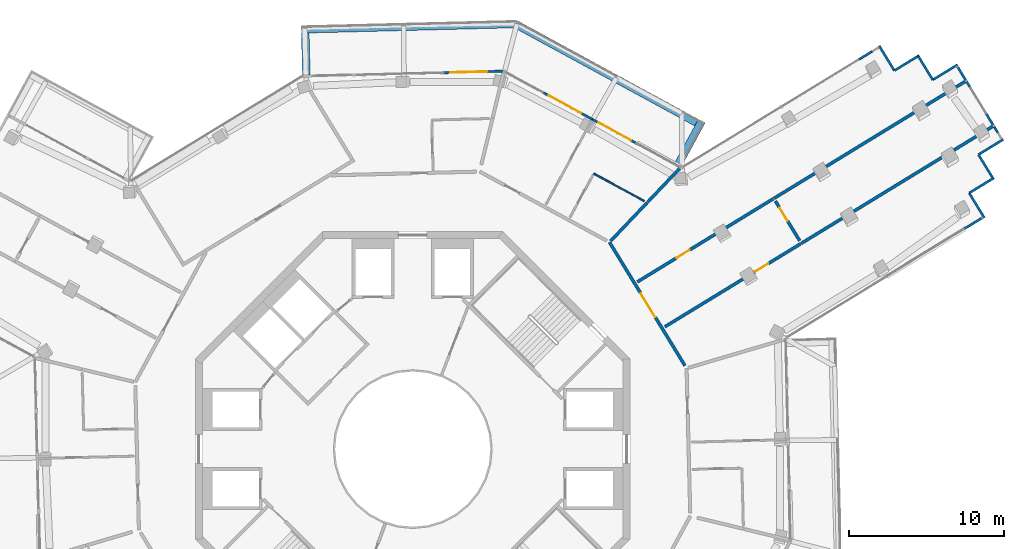
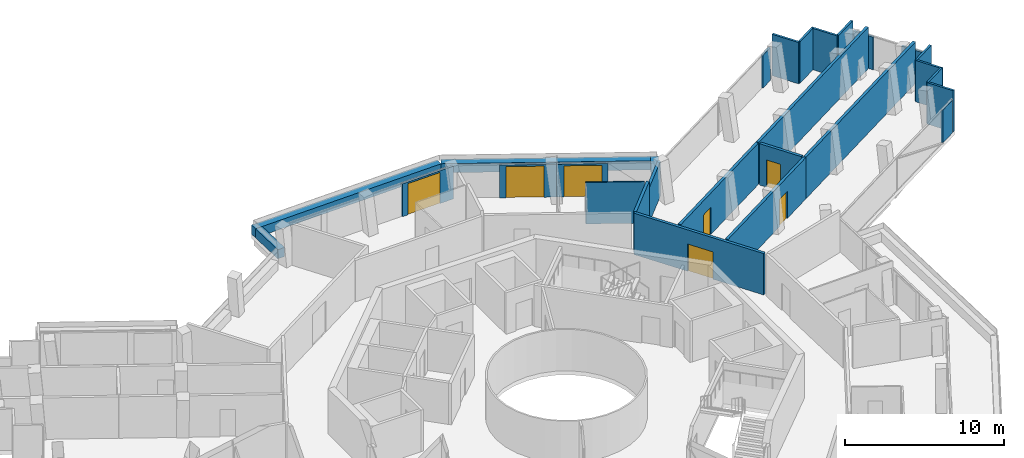
# One storey, part 23 of 26: 30 walls, 7 doors, 7 openings.
"""IFC4 building model written with IfcOpenShell, lengths in metres."""

import ifcopenshell
import ifcopenshell.guid

model = None  # the IFC model being written
_history = None  # IfcOwnerHistory: only IFC2X3 demands one
_inside = {}  # id of a spatial element -> (the spatial element, [elements in it])
_under = {}  # id of a project, library or spatial element -> (it, [spatial elements below it])
_declared = {}  # id of a project -> (the project, [libraries it declares])
_typed = {}  # id of a type object -> (the type object, [elements of that type])
_made_of = {}  # id of a material, layer set ... -> (it, [elements and type objects made of it])


def new_model(schema):
    """Start an empty IFC model of exactly this schema.

    Asked for "IFC4X3", IfcOpenShell would pick the latest addendum, in which some entities
    have other attributes; the version numbers below select the first issue.
    IFC2X3 requires an IfcOwnerHistory on every rooted entity: one is made here for all.
    """
    global model, _history
    if schema == "IFC4X3":
        model = ifcopenshell.file(schema_version=(4, 3, 0, 0))
    else:
        model = ifcopenshell.file(schema=schema)
    _inside.clear()
    _under.clear()
    _declared.clear()
    _typed.clear()
    _made_of.clear()
    _history = None
    if model.schema == "IFC2X3":
        org = make("IfcOrganization", Name="unknown")
        user = make(
            "IfcPersonAndOrganization",
            ThePerson=make("IfcPerson", FamilyName="unknown"),
            TheOrganization=org,
        )
        app = make(
            "IfcApplication",
            ApplicationDeveloper=org,
            Version="unknown",
            ApplicationFullName="unknown",
            ApplicationIdentifier="unknown",
        )
        _history = make(
            "IfcOwnerHistory",
            OwningUser=user,
            OwningApplication=app,
            ChangeAction="ADDED",
            CreationDate=0,
        )
    return model


def make(cls, **values):
    """One entity of the class cls with the attributes given. An attribute that is None is left unset."""
    return model.create_entity(
        cls, **{name: value for name, value in values.items() if value is not None}
    )


def rooted(cls, **values):
    """An entity with a GlobalId (a new one), such as an element, a storey or a relation."""
    return make(cls, GlobalId=ifcopenshell.guid.new(), OwnerHistory=_history, **values)


def si_unit(unit_type, name, prefix=None):
    """IfcSIUnit, for example si_unit("LENGTHUNIT", "METRE", prefix="MILLI")."""
    return make("IfcSIUnit", UnitType=unit_type, Prefix=prefix, Name=name)


def assignment(units):
    """IfcUnitAssignment: the units of a project."""
    return None if units is None else make("IfcUnitAssignment", Units=units)


def point(xyz):
    """IfcCartesianPoint."""
    return None if xyz is None else make("IfcCartesianPoint", Coordinates=xyz)


def direction(xyz):
    """IfcDirection."""
    return None if xyz is None else make("IfcDirection", DirectionRatios=xyz)


def frame(location, z_axis=None, x_axis=None):
    """IfcAxis2Placement3D, a coordinate frame: its origin and axes. An axis left out is left unset."""
    return make(
        "IfcAxis2Placement3D",
        Location=point(location),
        Axis=direction(z_axis),
        RefDirection=direction(x_axis),
    )


def frame_2d(location, x_axis=None):
    """IfcAxis2Placement2D, a coordinate frame in the plane: its origin and x axis."""
    return make(
        "IfcAxis2Placement2D", Location=point(location), RefDirection=direction(x_axis)
    )


def origin():
    """The frame at (0, 0, 0) with its axes left unset."""
    return frame((0.0, 0.0, 0.0))


def place(relative_to, where):
    """IfcLocalPlacement: puts the frame where relative to a parent placement (None: the world)."""
    return make(
        "IfcLocalPlacement", PlacementRelTo=relative_to, RelativePlacement=where
    )


def context(
    kind, dimensions, precision=None, world=None, true_north=None, identifier=None
):
    """IfcGeometricRepresentationContext, for example the 3D "Model" context."""
    return make(
        "IfcGeometricRepresentationContext",
        ContextIdentifier=identifier,
        ContextType=kind,
        CoordinateSpaceDimension=dimensions,
        Precision=precision,
        WorldCoordinateSystem=world,
        TrueNorth=true_north,
    )


def subcontext(parent, identifier, kind, view, scale=None):
    """IfcGeometricRepresentationSubContext, for example "Body" below "Model"."""
    return make(
        "IfcGeometricRepresentationSubContext",
        ContextIdentifier=identifier,
        ContextType=kind,
        ParentContext=parent,
        TargetScale=scale,
        TargetView=view,
    )


def project(units=None, contexts=None):
    """IfcProject with its units and contexts."""
    return rooted(
        "IfcProject",
        Name="project",
        RepresentationContexts=contexts,
        UnitsInContext=assignment(units),
    )


def spatial(cls, under=None, at=None, **own):
    """A site, building, storey or space (cls), placed at a placement, below another one or the project."""
    s = rooted(cls, ObjectPlacement=at, **own)
    if under is not None:
        _under.setdefault(under.id(), (under, []))[1].append(s)
    return s


def profile(cls, at=None, kind="AREA", **sizes):
    """A parametric profile (cls). Its sizes go by their IFC names, for example OverallWidth=200.0."""
    return make(cls, ProfileType=kind, Position=at, **sizes)


def rectangle(**sizes):
    """IfcRectangleProfileDef."""
    return profile("IfcRectangleProfileDef", **sizes)


def extrude(swept, where, along, depth):
    """IfcExtrudedAreaSolid: the profile swept, set in the frame where, extruded along a direction by depth."""
    return make(
        "IfcExtrudedAreaSolid",
        SweptArea=swept,
        Position=where,
        ExtrudedDirection=direction(along),
        Depth=depth,
    )


def shape(context_of_items, identifier, shape_type, items):
    """IfcShapeRepresentation: the items that make up one representation, for example the "Body"."""
    return make(
        "IfcShapeRepresentation",
        ContextOfItems=context_of_items,
        RepresentationIdentifier=identifier,
        RepresentationType=shape_type,
        Items=items,
    )


def material(Name=None, Category=None):
    """IfcMaterial."""
    return make("IfcMaterial", Name=Name, Category=Category)


def layer(
    of_material, thickness, ventilated=None, Name=None, Category=None, Priority=None
):
    """IfcMaterialLayer: one layer of a wall or slab, of a material (None: an air gap)."""
    return make(
        "IfcMaterialLayer",
        Material=of_material,
        LayerThickness=thickness,
        IsVentilated=ventilated,
        Name=Name,
        Category=Category,
        Priority=Priority,
    )


def layer_set(layers, Name=None):
    """IfcMaterialLayerSet."""
    return make("IfcMaterialLayerSet", MaterialLayers=layers, LayerSetName=Name)


def made_of(thing, what):
    """Note that an element or type object is made of a material, layer set ...; save() writes the relation."""
    if what is not None:
        _made_of.setdefault(what.id(), (what, []))[1].append(thing)
    return thing


def type_object(cls, material=None, **own):
    """A type object (cls), such as IfcWallType, which elements share."""
    return made_of(rooted(cls, **own), material)


def element(
    cls,
    number,
    at=None,
    inside=None,
    cuts=None,
    type_object=None,
    material=None,
    context=None,
    identifier="Body",
    shape_type=None,
    held_by="IfcProductDefinitionShape",
    body=None,
    shapes=None,
    **own,
):
    """One element of the class cls, such as IfcWall. Its Tag is "e" and its number.

    at: its placement. inside: the storey or other place that contains it. cuts: it is an
    opening in that element (IfcRelVoidsElement). A single representation is given by context,
    identifier, shape_type and body (its items); several are given by shapes. held_by: the class
    of the entity that holds the representations. save() writes the other relations.
    """
    e = rooted(cls, Tag="e%d" % number, ObjectPlacement=at, **own)
    if body is not None:
        shapes = [shape(context, identifier, shape_type, body)]
    if shapes is not None:
        e.Representation = make(held_by, Representations=shapes)
    if inside is not None:
        _inside.setdefault(inside.id(), (inside, []))[1].append(e)
    if cuts is not None:
        rooted(
            "IfcRelVoidsElement", RelatingBuildingElement=cuts, RelatedOpeningElement=e
        )
    if type_object is not None:
        _typed.setdefault(type_object.id(), (type_object, []))[1].append(e)
    return made_of(e, material)


def fill(opening, filler):
    """IfcRelFillsElement: the door or window that sits in an opening."""
    return rooted(
        "IfcRelFillsElement",
        RelatingOpeningElement=opening,
        RelatedBuildingElement=filler,
    )


def aggregate(whole, parts):
    """IfcRelAggregates: a whole, such as a stair, and the parts it consists of."""
    return rooted("IfcRelAggregates", RelatingObject=whole, RelatedObjects=parts)


def save(model, path):
    """Write the relations noted so far, then the file.

    IfcRelAggregates (storeys below a building ...), IfcRelContainedInSpatialStructure (elements
    in a storey), IfcRelDefinesByType, IfcRelAssociatesMaterial and IfcRelDeclares: one each for
    every whole, place, type object, material and project.
    """
    for whole, parts in _under.values():
        aggregate(whole, parts)
    for where, things in _inside.values():
        rooted(
            "IfcRelContainedInSpatialStructure",
            RelatedElements=things,
            RelatingStructure=where,
        )
    for kind, things in _typed.values():
        rooted("IfcRelDefinesByType", RelatedObjects=things, RelatingType=kind)
    for what, things in _made_of.values():
        rooted("IfcRelAssociatesMaterial", RelatedObjects=things, RelatingMaterial=what)
    for by, libraries in _declared.values():
        rooted("IfcRelDeclares", RelatingContext=by, RelatedDefinitions=libraries)
    model.write(path)


model = new_model("IFC4")

# Units and contexts
model_context = context("Model", 3, precision=1e-05, world=origin(), true_north=direction((0.0, 1.0)))
body_context = subcontext(model_context, "Body", "Model", "MODEL_VIEW")
ifc_project = project(units=[si_unit("LENGTHUNIT", "METRE"), si_unit("AREAUNIT", "SQUARE_METRE"), si_unit("VOLUMEUNIT", "CUBIC_METRE"), si_unit("PLANEANGLEUNIT", "RADIAN"), si_unit("MASSUNIT", "GRAM", prefix="KILO")], contexts=[model_context])

# Site, building, storey
site_placement = place(None, origin())
site = spatial("IfcSite", under=ifc_project, at=site_placement, CompositionType="ELEMENT")
building_placement = place(site_placement, origin())
building = spatial("IfcBuilding", under=site, at=building_placement, Name="Verdalira Terraces Hotel", CompositionType="ELEMENT")
storey_placement = place(building_placement, frame((0.0, 0.0, 284.5)))
storey = spatial("IfcBuildingStorey", under=building, at=storey_placement, Name="L70", CompositionType="ELEMENT", Elevation=284.5)

# Walls
ifc_material_1 = material(Name="Concrete C40", Category="concrete")
ifc_layer_1 = layer(ifc_material_1, 0.5)
ifc_layer_set_1 = layer_set([ifc_layer_1], Name="Balcony planter trough with tree")
wall_type_1 = type_object("IfcWallType", Name="Balcony planter trough with tree", PredefinedType="SOLIDWALL", material=ifc_layer_set_1)
wall_1_placement = place(storey_placement, frame((17.087402, 18.319336, 0.0), z_axis=(0.0, 0.0, 1.0), x_axis=(0.478049873, 0.878332693, 0.0)))
element("IfcWall", 1, at=wall_1_placement, inside=storey, type_object=wall_type_1, Name="Balcony planter", PredefinedType="SOLIDWALL", context=body_context, shape_type="SweptSolid", body=[
    extrude(rectangle(XDim=3.198975, YDim=0.5, at=frame_2d((1.599609, 0.0))), origin(), (0.0, 0.0, 1.0), 0.699951),
])
wall_2_placement = place(storey_placement, frame((18.277588, 21.029053, 0.0), z_axis=(0.0, 0.0, 1.0), x_axis=(-0.878317174, 0.478078384, 0.0)))
element("IfcWall", 2, at=wall_2_placement, inside=storey, type_object=wall_type_1, Name="Balcony planter", PredefinedType="SOLIDWALL", context=body_context, shape_type="SweptSolid", body=[
    extrude(rectangle(XDim=13.223389, YDim=0.5, at=frame_2d((6.611816, 0.0))), origin(), (0.0, 0.0, 1.0), 0.699951),
])
wall_3_placement = place(storey_placement, frame((6.537354, 27.381348, 0.0), z_axis=(0.0, 0.0, 1.0), x_axis=(-0.999684002, -0.025137535, 0.0)))
element("IfcWall", 3, at=wall_3_placement, inside=storey, type_object=wall_type_1, Name="Balcony planter", PredefinedType="SOLIDWALL", context=body_context, shape_type="SweptSolid", body=[
    extrude(rectangle(XDim=13.723389, YDim=0.5, at=frame_2d((6.861816, 0.0))), origin(), (0.0, 0.0, 1.0), 0.699951),
])
wall_4_placement = place(storey_placement, frame((-6.925537, 26.792725, 0.0), z_axis=(0.0, 0.0, 1.0), x_axis=(0.025148138, -0.999683736, 0.0)))
element("IfcWall", 4, at=wall_4_placement, inside=storey, type_object=wall_type_1, Name="Balcony planter", PredefinedType="SOLIDWALL", context=body_context, shape_type="SweptSolid", body=[
    extrude(rectangle(XDim=2.69873, YDim=0.5, at=frame_2d((1.349365, 0.0))), origin(), (0.0, 0.0, 1.0), 0.699951),
])
ifc_material_2 = material(Name="Moisture-resistant gypsum board partition")
ifc_layer_2 = layer(ifc_material_2, 0.10009765625)
ifc_layer_set_2 = layer_set([ifc_layer_2], Name="Bathroom partition 100 mm")
wall_type_2 = type_object("IfcWallType", Name="Bathroom partition 100 mm", PredefinedType="PARTITIONING", material=ifc_layer_set_2)
wall_5_placement = place(storey_placement, frame((14.913086, 15.972412, 0.0), z_axis=(0.0, 0.0, 1.0), x_axis=(-0.878330978, 0.478053023, 0.0)))
element("IfcWall", 5, at=wall_5_placement, inside=storey, type_object=wall_type_2, Name="Bathroom partition", PredefinedType="PARTITIONING", context=body_context, shape_type="SweptSolid", body=[
    extrude(rectangle(XDim=3.704102, YDim=0.100098, at=frame_2d((1.852051, 0.0))), origin(), (0.0, 0.0, 1.0), 3.189941),
])
ifc_material_3 = material(Name="Fire-rated gypsum board wall")
ifc_layer_3 = layer(ifc_material_3, 0.199951171875)
ifc_layer_set_3 = layer_set([ifc_layer_3], Name="Demising wall 200 mm")
wall_type_3 = type_object("IfcWallType", Name="Demising wall 200 mm", PredefinedType="SOLIDWALL", material=ifc_layer_set_3)
wall_6_placement = place(storey_placement, frame((12.740479, 13.397705, 0.0), z_axis=(0.0, 0.0, 1.0), x_axis=(0.689136029, 0.724631998, 0.0)))
element("IfcWall", 6, at=wall_6_placement, inside=storey, type_object=wall_type_3, Name="Demising wall", PredefinedType="SOLIDWALL", context=body_context, shape_type="SweptSolid", body=[
    extrude(rectangle(XDim=3.418457, YDim=0.199951, at=frame_2d((1.709229, 0.0))), origin(), (0.0, 0.0, 1.0), 3.189941),
])

# Wall, opening, door
wall_7_placement = place(storey_placement, frame((14.4646, 10.769287, 0.0), z_axis=(0.0, 0.0, 1.0), x_axis=(0.853178802, 0.521618569, 0.0)))
wall_7 = element("IfcWall", 7, at=wall_7_placement, inside=storey, type_object=wall_type_3, Name="Demising wall", PredefinedType="SOLIDWALL", context=body_context, shape_type="SweptSolid", body=[
    extrude(rectangle(XDim=10.251953, YDim=0.199951, at=frame_2d((5.125977, 0.0))), origin(), (0.0, 0.0, 1.0), 3.189941),
])
opening_1_placement = place(wall_7_placement, frame((2.949951, 0.0, 0.0)))
opening_1 = element("IfcOpeningElement", 8, at=opening_1_placement, cuts=wall_7, Name="Opening L70-126", PredefinedType="OPENING", context=body_context, shape_type="SweptSolid", body=[
    extrude(rectangle(XDim=1.0, YDim=2.100098, at=frame_2d((0.5, 1.050049))), frame((0.0, 0.109863, 0.0), z_axis=(0.0, -1.0, 0.0), x_axis=(1.0, 0.0, 0.0)), (0.0, 0.0, 1.0), 0.219971),
])
ifc_material_4 = material(Name="Timber fire door", Category="wood")
door_type_1 = type_object("IfcDoorType", Name="Public room door 1000 x 2100", OperationType="NOTDEFINED", PredefinedType="DOOR", material=ifc_material_4)
door_1_placement = place(opening_1_placement, origin())
door_1 = element("IfcDoor", 9, at=door_1_placement, inside=storey, type_object=door_type_1, Name="Public room door 7009", OperationType="SINGLE_SWING_LEFT", OverallHeight=2.10009765625, OverallWidth=1.0, PredefinedType="DOOR", context=body_context, shape_type="SweptSolid", body=[
    extrude(rectangle(XDim=1.0, YDim=2.100098, at=frame_2d((0.5, 1.050049))), frame((0.0, 0.024902, 0.0), z_axis=(0.0, -1.0, 0.0), x_axis=(1.0, 0.0, 0.0)), (0.0, 0.0, 1.0), 0.050049),
])
fill(opening_1, door_1)

wall_8_placement = place(storey_placement, frame((24.980469, 13.223389, 0.0), z_axis=(0.0, 0.0, 1.0), x_axis=(-0.853195879, -0.521590637, 0.0)))
wall_8 = element("IfcWall", 10, at=wall_8_placement, inside=storey, type_object=wall_type_3, Name="Demising wall", PredefinedType="SOLIDWALL", context=body_context, shape_type="SweptSolid", body=[
    extrude(rectangle(XDim=10.252197, YDim=0.199951, at=frame_2d((5.125977, 0.0))), origin(), (0.0, 0.0, 1.0), 3.189941),
])
opening_2_placement = place(wall_8_placement, frame((2.449951, 0.0, 0.0)))
opening_2 = element("IfcOpeningElement", 11, at=opening_2_placement, cuts=wall_8, Name="Opening L70-125", PredefinedType="OPENING", context=body_context, shape_type="SweptSolid", body=[
    extrude(rectangle(XDim=1.0, YDim=2.100098, at=frame_2d((0.5, 1.050049))), frame((0.0, 0.109863, 0.0), z_axis=(0.0, -1.0, 0.0), x_axis=(1.0, 0.0, 0.0)), (0.0, 0.0, 1.0), 0.219971),
])
door_2_placement = place(opening_2_placement, origin())
door_2 = element("IfcDoor", 12, at=door_2_placement, inside=storey, type_object=door_type_1, Name="Public room door 7009", OperationType="SINGLE_SWING_LEFT", OverallHeight=2.10009765625, OverallWidth=1.0, PredefinedType="DOOR", context=body_context, shape_type="SweptSolid", body=[
    extrude(rectangle(XDim=1.0, YDim=2.100098, at=frame_2d((0.5, 1.050049))), frame((0.0, 0.024902, 0.0), z_axis=(0.0, -1.0, 0.0), x_axis=(1.0, 0.0, 0.0)), (0.0, 0.0, 1.0), 0.050049),
])
fill(opening_2, door_2)

wall_9_placement = place(storey_placement, frame((23.356689, 15.971191, 0.0), z_axis=(0.0, 0.0, 1.0), x_axis=(0.521595257, -0.853193055, 0.0)))
wall_9 = element("IfcWall", 13, at=wall_9_placement, inside=storey, type_object=wall_type_3, Name="Demising wall", PredefinedType="SOLIDWALL", context=body_context, shape_type="SweptSolid", body=[
    extrude(rectangle(XDim=2.991455, YDim=0.199951, at=frame_2d((1.495605, 0.0))), origin(), (0.0, 0.0, 1.0), 3.189941),
])
opening_3_placement = place(wall_9_placement, frame((0.5, 0.0, 0.0)))
opening_3 = element("IfcOpeningElement", 14, at=opening_3_placement, cuts=wall_9, Name="Opening L70-127", PredefinedType="OPENING", context=body_context, shape_type="SweptSolid", body=[
    extrude(rectangle(XDim=1.0, YDim=2.100098, at=frame_2d((0.5, 1.050049))), frame((0.0, 0.109863, 0.0), z_axis=(0.0, -1.0, 0.0), x_axis=(1.0, 0.0, 0.0)), (0.0, 0.0, 1.0), 0.219971),
])
door_3_placement = place(opening_3_placement, origin())
door_3 = element("IfcDoor", 15, at=door_3_placement, inside=storey, type_object=door_type_1, Name="Public room door 7009", OperationType="SINGLE_SWING_LEFT", OverallHeight=2.10009765625, OverallWidth=1.0, PredefinedType="DOOR", context=body_context, shape_type="SweptSolid", body=[
    extrude(rectangle(XDim=1.0, YDim=2.100098, at=frame_2d((0.5, 1.050049))), frame((0.0, 0.024902, 0.0), z_axis=(0.0, -1.0, 0.0), x_axis=(1.0, 0.0, 0.0)), (0.0, 0.0, 1.0), 0.050049),
])
fill(opening_3, door_3)

# Walls
wall_10_placement = place(storey_placement, frame((35.577393, 23.677002, 0.0), z_axis=(0.0, 0.0, 1.0), x_axis=(-0.853184076, -0.521609943, 0.0)))
element("IfcWall", 16, at=wall_10_placement, inside=storey, type_object=wall_type_3, Name="Demising wall", PredefinedType="SOLIDWALL", context=body_context, shape_type="SweptSolid", body=[
    extrude(rectangle(XDim=14.447754, YDim=0.199951, at=frame_2d((7.223877, 0.0))), origin(), (0.0, 0.0, 1.0), 3.189941),
])
wall_11_placement = place(storey_placement, frame((25.019775, 13.247314, 0.0), z_axis=(0.0, 0.0, 1.0), x_axis=(0.853179478, 0.521617464, 0.0)))
element("IfcWall", 17, at=wall_11_placement, inside=storey, type_object=wall_type_3, Name="Demising wall", PredefinedType="SOLIDWALL", context=body_context, shape_type="SweptSolid", body=[
    extrude(rectangle(XDim=14.44751, YDim=0.199951, at=frame_2d((7.223633, 0.0))), origin(), (0.0, 0.0, 1.0), 3.189941),
])
ifc_material_5 = material(Name="Fire-rated gypsum board wall")
ifc_layer_4 = layer(ifc_material_5, 0.199951171875)
ifc_layer_set_4 = layer_set([ifc_layer_4], Name="Demising wall 200 mm to beam soffit")
wall_type_4 = type_object("IfcWallType", Name="Demising wall 200 mm to beam soffit", PredefinedType="SOLIDWALL", material=ifc_layer_set_4)
wall_12_placement = place(storey_placement, frame((15.12793, 15.908203, 0.0), z_axis=(0.0, 0.0, 1.0), x_axis=(0.689128636, 0.724639029, 0.0)))
element("IfcWall", 18, at=wall_12_placement, inside=storey, type_object=wall_type_4, Name="Demising wall", PredefinedType="SOLIDWALL", context=body_context, shape_type="SweptSolid", body=[
    extrude(rectangle(XDim=3.01123, YDim=0.199951, at=frame_2d((1.505615, 0.0))), origin(), (0.0, 0.0, 1.0), 2.689941),
])

# Wall, opening, door
ifc_material_6 = material(Name="Fire-rated gypsum board wall")
ifc_layer_5 = layer(ifc_material_6, 0.199951171875)
ifc_layer_set_5 = layer_set([ifc_layer_5], Name="Guest corridor wall 200 mm")
wall_type_5 = type_object("IfcWallType", Name="Guest corridor wall 200 mm", PredefinedType="SOLIDWALL", material=ifc_layer_set_5)
wall_13_placement = place(storey_placement, frame((12.669189, 13.32251, 0.0), z_axis=(0.0, 0.0, 1.0), x_axis=(0.521611117, -0.853183358, 0.0)))
wall_13 = element("IfcWall", 19, at=wall_13_placement, inside=storey, type_object=wall_type_5, Name="Guest corridor wall", PredefinedType="SOLIDWALL", context=body_context, shape_type="SweptSolid", body=[
    extrude(rectangle(XDim=9.31665, YDim=0.199951, at=frame_2d((4.658203, 0.0))), origin(), (0.0, 0.0, 1.0), 3.189941),
])
opening_4_placement = place(wall_13_placement, frame((3.864746, 0.0, 0.0)))
opening_4 = element("IfcOpeningElement", 20, at=opening_4_placement, cuts=wall_13, Name="Opening L70-124", PredefinedType="OPENING", context=body_context, shape_type="SweptSolid", body=[
    extrude(rectangle(XDim=1.800049, YDim=2.100098, at=frame_2d((0.899902, 1.050049))), frame((0.0, 0.109863, 0.0), z_axis=(0.0, -1.0, 0.0), x_axis=(1.0, 0.0, 0.0)), (0.0, 0.0, 1.0), 0.219971),
])
ifc_material_7 = material(Name="Timber fire door", Category="wood")
door_type_2 = type_object("IfcDoorType", Name="Public room double door 1800 x 2100", OperationType="NOTDEFINED", PredefinedType="DOOR", material=ifc_material_7)
door_4_placement = place(opening_4_placement, origin())
door_4 = element("IfcDoor", 21, at=door_4_placement, inside=storey, type_object=door_type_2, Name="Public room double door 7009", OperationType="DOUBLE_DOOR_SINGLE_SWING", OverallHeight=2.10009765625, OverallWidth=1.800048828125, PredefinedType="DOOR", context=body_context, shape_type="SweptSolid", body=[
    extrude(rectangle(XDim=1.800049, YDim=2.100098, at=frame_2d((0.899902, 1.050049))), frame((0.0, 0.024902, 0.0), z_axis=(0.0, -1.0, 0.0), x_axis=(1.0, 0.0, 0.0)), (0.0, 0.0, 1.0), 0.050049),
])
fill(opening_4, door_4)

# Walls
ifc_material_8 = material(Name="Terracotta cladding", Category="masonry")
ifc_layer_6 = layer(ifc_material_8, 0.14990234375)
ifc_layer_set_6 = layer_set([ifc_layer_6], Name="Terracotta clad wall 150")
wall_type_6 = type_object("IfcWallType", Name="Terracotta clad wall 150", PredefinedType="SOLIDWALL", material=ifc_layer_set_6)
wall_14_placement = place(storey_placement, frame((36.817627, 14.890381, 0.0), z_axis=(0.0, 0.0, 1.0), x_axis=(-0.521639612, 0.853165936, 0.0)))
element("IfcWall", 22, at=wall_14_placement, inside=storey, type_object=wall_type_6, Name="Terracotta cladding wall", PredefinedType="SOLIDWALL", context=body_context, shape_type="SweptSolid", body=[
    extrude(rectangle(XDim=1.875, YDim=0.149902, at=frame_2d((0.9375, 0.0))), origin(), (0.0, 0.0, 1.0), 3.189941),
])
wall_15_placement = place(storey_placement, frame((35.8396, 16.48999, 0.0), z_axis=(0.0, 0.0, 1.0), x_axis=(0.853154401, 0.521658478, 0.0)))
element("IfcWall", 23, at=wall_15_placement, inside=storey, type_object=wall_type_6, Name="Terracotta cladding wall", PredefinedType="SOLIDWALL", context=body_context, shape_type="SweptSolid", body=[
    extrude(rectangle(XDim=1.800049, YDim=0.149902, at=frame_2d((0.899902, 0.0))), origin(), (0.0, 0.0, 1.0), 3.189941),
])
for number, where, z_axis, x_axis, name in (
    (24, (37.414307, 17.36499, 0.0), (0.0, 0.0, 1.0), (-0.521639612, 0.853165936, 0.0), "Terracotta cladding wall"),
    (25, (36.436279, 18.9646, 0.0), (0.0, 0.0, 1.0), (0.853201363, 0.521581666, 0.0), "Terracotta cladding wall"),
    (26, (35.089111, 24.763184, 0.0), (0.0, 0.0, 1.0), (-0.853201363, -0.521581666, 0.0), "Terracotta cladding wall"),
):
    element("IfcWall", number, at=place(storey_placement, frame(where, z_axis=z_axis, x_axis=x_axis)), inside=storey, type_object=wall_type_6, Name=name, PredefinedType="SOLIDWALL", context=body_context, shape_type="SweptSolid", body=[
        extrude(rectangle(XDim=1.875, YDim=0.149902, at=frame_2d((0.9375, 0.0))), origin(), (0.0, 0.0, 1.0), 3.189941),
    ])
wall_16_placement = place(storey_placement, frame((33.489258, 23.785156, 0.0), z_axis=(0.0, 0.0, 1.0), x_axis=(-0.521658478, 0.853154401, 0.0)))
element("IfcWall", 27, at=wall_16_placement, inside=storey, type_object=wall_type_6, Name="Terracotta cladding wall", PredefinedType="SOLIDWALL", context=body_context, shape_type="SweptSolid", body=[
    extrude(rectangle(XDim=1.800049, YDim=0.149902, at=frame_2d((0.899902, 0.0))), origin(), (0.0, 0.0, 1.0), 3.189941),
])
for number, where, z_axis, x_axis, name in (
    (28, (32.614502, 25.360107, 0.0), (0.0, 0.0, 1.0), (-0.853201363, -0.521581666, 0.0), "Terracotta cladding wall"),
    (29, (31.014648, 24.38208, 0.0), (0.0, 0.0, 1.0), (-0.521639612, 0.853165936, 0.0), "Terracotta cladding wall"),
):
    element("IfcWall", number, at=place(storey_placement, frame(where, z_axis=z_axis, x_axis=x_axis)), inside=storey, type_object=wall_type_6, Name=name, PredefinedType="SOLIDWALL", context=body_context, shape_type="SweptSolid", body=[
        extrude(rectangle(XDim=1.875, YDim=0.149902, at=frame_2d((0.9375, 0.0))), origin(), (0.0, 0.0, 1.0), 3.189941),
    ])
ifc_material_9 = material(Name="Terracotta cladding", Category="masonry")
ifc_layer_7 = layer(ifc_material_9, 0.14990234375)
ifc_layer_set_7 = layer_set([ifc_layer_7], Name="Terracotta column pier 150")
wall_type_7 = type_object("IfcWallType", Name="Terracotta column pier 150", PredefinedType="SOLIDWALL", material=ifc_layer_set_7)
wall_17_placement = place(storey_placement, frame((35.571045, 14.216309, 0.0), z_axis=(0.0, 0.0, 1.0), x_axis=(0.853258075, 0.521488885, 0.0)))
element("IfcWall", 30, at=wall_17_placement, inside=storey, type_object=wall_type_7, Name="Terracotta column pier", PredefinedType="SOLIDWALL", context=body_context, shape_type="SweptSolid", body=[
    extrude(rectangle(XDim=1.27002, YDim=0.149902, at=frame_2d((0.63501, 0.0))), origin(), (0.0, 0.0, 1.0), 2.524902),
])
wall_18_placement = place(storey_placement, frame((37.682617, 20.377197, 0.0), z_axis=(0.0, 0.0, 1.0), x_axis=(-0.521777825, 0.853081415, 0.0)))
element("IfcWall", 31, at=wall_18_placement, inside=storey, type_object=wall_type_7, Name="Terracotta column pier", PredefinedType="SOLIDWALL", context=body_context, shape_type="SweptSolid", body=[
    extrude(rectangle(XDim=0.481934, YDim=0.149902, at=frame_2d((0.240967, 0.0))), origin(), (0.0, 0.0, 1.0), 2.524902),
])
wall_19_placement = place(storey_placement, frame((37.389404, 20.856689, 0.0), z_axis=(0.0, 0.0, 1.0), x_axis=(-0.521606868, 0.853185956, 0.0)))
element("IfcWall", 32, at=wall_19_placement, inside=storey, type_object=wall_type_7, Name="Terracotta column pier", PredefinedType="SOLIDWALL", context=body_context, shape_type="SweptSolid", body=[
    extrude(rectangle(XDim=0.881348, YDim=0.149902, at=frame_2d((0.440674, 0.0))), origin(), (0.0, 0.0, 1.0), 2.524902),
])
wall_20_placement = place(storey_placement, frame((35.867432, 23.346191, 0.0), z_axis=(0.0, 0.0, 1.0), x_axis=(-0.521776217, 0.853082399, 0.0)))
element("IfcWall", 33, at=wall_20_placement, inside=storey, type_object=wall_type_7, Name="Terracotta column pier", PredefinedType="SOLIDWALL", context=body_context, shape_type="SweptSolid", body=[
    extrude(rectangle(XDim=0.393555, YDim=0.149902, at=frame_2d((0.196777, 0.0))), origin(), (0.0, 0.0, 1.0), 2.524902),
])
wall_21_placement = place(storey_placement, frame((35.620361, 23.750244, 0.0), z_axis=(0.0, 0.0, 1.0), x_axis=(-0.521540118, 0.853226761, 0.0)))
element("IfcWall", 34, at=wall_21_placement, inside=storey, type_object=wall_type_7, Name="Terracotta column pier", PredefinedType="SOLIDWALL", context=body_context, shape_type="SweptSolid", body=[
    extrude(rectangle(XDim=0.986328, YDim=0.149902, at=frame_2d((0.493164, 0.0))), origin(), (0.0, 0.0, 1.0), 2.524902),
])
wall_22_placement = place(storey_placement, frame((29.589355, 25.620361, 0.0), z_axis=(0.0, 0.0, 1.0), x_axis=(-0.853220553, -0.521550274, 0.0)))
element("IfcWall", 35, at=wall_22_placement, inside=storey, type_object=wall_type_7, Name="Terracotta column pier", PredefinedType="SOLIDWALL", context=body_context, shape_type="SweptSolid", body=[
    extrude(rectangle(XDim=0.984863, YDim=0.149902, at=frame_2d((0.492432, 0.0))), origin(), (0.0, 0.0, 1.0), 2.524902),
])

# Wall, opening, door
ifc_material_10 = material(Name="Terracotta cladding", Category="masonry")
ifc_layer_8 = layer(ifc_material_10, 0.14990234375)
ifc_layer_set_8 = layer_set([ifc_layer_8], Name="Terracotta door pier 150")
wall_type_8 = type_object("IfcWallType", Name="Terracotta door pier 150", PredefinedType="SOLIDWALL", material=ifc_layer_set_8)
wall_23_placement = place(storey_placement, frame((14.416016, 19.686768, 0.0), z_axis=(0.0, 0.0, 1.0), x_axis=(-0.878288574, 0.478130925, 0.0)))
wall_23 = element("IfcWall", 36, at=wall_23_placement, inside=storey, type_object=wall_type_8, Name="Terracotta door pier", PredefinedType="SOLIDWALL", context=body_context, shape_type="SweptSolid", body=[
    extrude(rectangle(XDim=3.25, YDim=0.149902, at=frame_2d((1.625, 0.0))), origin(), (0.0, 0.0, 1.0), 2.524902),
])
opening_5_placement = place(wall_23_placement, frame((0.399902, 0.0, 0.0)))
opening_5 = element("IfcOpeningElement", 37, at=opening_5_placement, cuts=wall_23, Name="Opening L70-B15", PredefinedType="OPENING", context=body_context, shape_type="SweptSolid", body=[
    extrude(rectangle(XDim=2.399902, YDim=2.399902, at=frame_2d((1.199951, 1.199951))), frame((0.0, 0.084961, 0.0), z_axis=(0.0, -1.0, 0.0), x_axis=(1.0, 0.0, 0.0)), (0.0, 0.0, 1.0), 0.169922),
])
ifc_material_11 = material(Name="Clear glass", Category="glass")
door_type_3 = type_object("IfcDoorType", Name="Balcony sliding door 2400x2400", OperationType="NOTDEFINED", PredefinedType="DOOR", material=ifc_material_11)
door_5_placement = place(opening_5_placement, origin())
door_5 = element("IfcDoor", 38, at=door_5_placement, inside=storey, type_object=door_type_3, Name="Balcony sliding door", OperationType="SLIDING_TO_RIGHT", OverallHeight=2.39990234375, OverallWidth=2.39990234375, PredefinedType="DOOR", context=body_context, shape_type="SweptSolid", body=[
    extrude(rectangle(XDim=2.399902, YDim=2.399902, at=frame_2d((1.199951, 1.199951))), frame((0.0, 0.024902, 0.0), z_axis=(0.0, -1.0, 0.0), x_axis=(1.0, 0.0, 0.0)), (0.0, 0.0, 1.0), 0.050049),
])
fill(opening_5, door_5)

wall_24_placement = place(storey_placement, frame((11.561523, 21.240723, 0.0), z_axis=(0.0, 0.0, 1.0), x_axis=(-0.878337007, 0.478041947, 0.0)))
wall_24 = element("IfcWall", 39, at=wall_24_placement, inside=storey, type_object=wall_type_8, Name="Terracotta door pier", PredefinedType="SOLIDWALL", context=body_context, shape_type="SweptSolid", body=[
    extrude(rectangle(XDim=3.611328, YDim=0.149902, at=frame_2d((1.805664, 0.0))), origin(), (0.0, 0.0, 1.0), 2.524902),
])
opening_6_placement = place(wall_24_placement, frame((0.811279, 0.0, 0.0)))
opening_6 = element("IfcOpeningElement", 40, at=opening_6_placement, cuts=wall_24, Name="Opening L70-B16", PredefinedType="OPENING", context=body_context, shape_type="SweptSolid", body=[
    extrude(rectangle(XDim=2.399902, YDim=2.399902, at=frame_2d((1.199951, 1.199951))), frame((0.0, 0.084961, 0.0), z_axis=(0.0, -1.0, 0.0), x_axis=(1.0, 0.0, 0.0)), (0.0, 0.0, 1.0), 0.169922),
])
door_6_placement = place(opening_6_placement, origin())
door_6 = element("IfcDoor", 41, at=door_6_placement, inside=storey, type_object=door_type_3, Name="Balcony sliding door", OperationType="SLIDING_TO_LEFT", OverallHeight=2.39990234375, OverallWidth=2.39990234375, PredefinedType="DOOR", context=body_context, shape_type="SweptSolid", body=[
    extrude(rectangle(XDim=2.399902, YDim=2.399902, at=frame_2d((1.199951, 1.199951))), frame((0.0, 0.024902, 0.0), z_axis=(0.0, -1.0, 0.0), x_axis=(1.0, 0.0, 0.0)), (0.0, 0.0, 1.0), 0.050049),
])
fill(opening_6, door_6)

wall_25_placement = place(storey_placement, frame((5.790039, 24.336426, 0.0), z_axis=(0.0, 0.0, 1.0), x_axis=(-0.999685428, -0.025080789, 0.0)))
wall_25 = element("IfcWall", 42, at=wall_25_placement, inside=storey, type_object=wall_type_8, Name="Terracotta door pier", PredefinedType="SOLIDWALL", context=body_context, shape_type="SweptSolid", body=[
    extrude(rectangle(XDim=3.786621, YDim=0.149902, at=frame_2d((1.893311, 0.0))), origin(), (0.0, 0.0, 1.0), 2.524902),
])
opening_7_placement = place(wall_25_placement, frame((0.986572, 0.0, 0.0)))
opening_7 = element("IfcOpeningElement", 43, at=opening_7_placement, cuts=wall_25, Name="Opening L70-B17", PredefinedType="OPENING", context=body_context, shape_type="SweptSolid", body=[
    extrude(rectangle(XDim=2.399902, YDim=2.399902, at=frame_2d((1.199951, 1.199951))), frame((0.0, 0.084961, 0.0), z_axis=(0.0, -1.0, 0.0), x_axis=(1.0, 0.0, 0.0)), (0.0, 0.0, 1.0), 0.169922),
])
door_7_placement = place(opening_7_placement, origin())
door_7 = element("IfcDoor", 44, at=door_7_placement, inside=storey, type_object=door_type_3, Name="Balcony sliding door", OperationType="SLIDING_TO_LEFT", OverallHeight=2.39990234375, OverallWidth=2.39990234375, PredefinedType="DOOR", context=body_context, shape_type="SweptSolid", body=[
    extrude(rectangle(XDim=2.399902, YDim=2.399902, at=frame_2d((1.199951, 1.199951))), frame((0.0, 0.024902, 0.0), z_axis=(0.0, -1.0, 0.0), x_axis=(1.0, 0.0, 0.0)), (0.0, 0.0, 1.0), 0.050049),
])
fill(opening_7, door_7)

save(model, "model.ifc")
